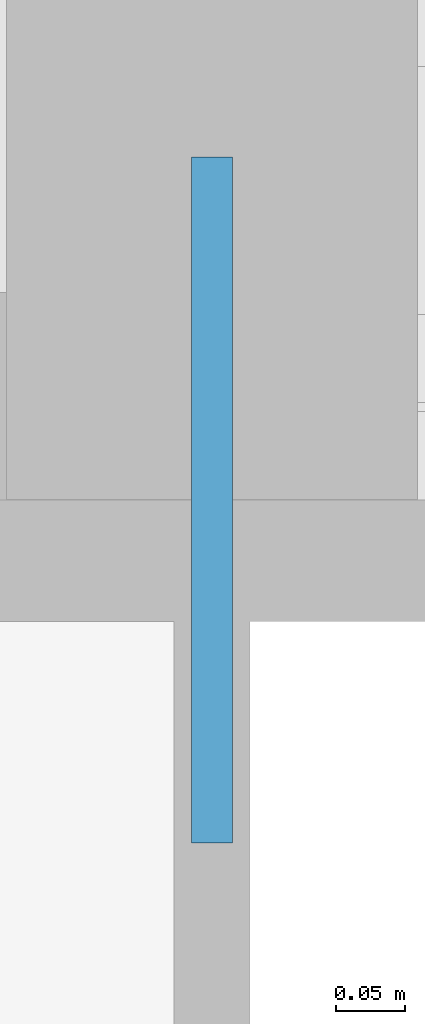
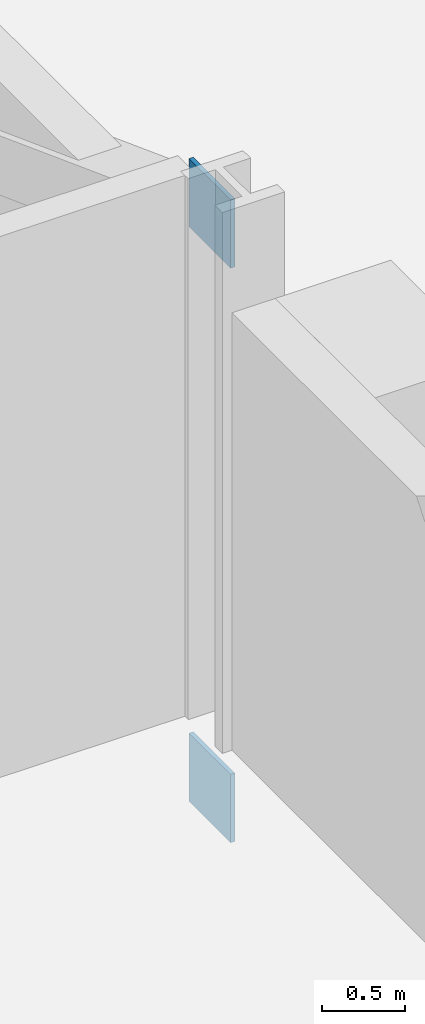
# One storey, part 25 of 39: 2 discrete accessories.
"""IFC4 building model written with IfcOpenShell, lengths in metres."""

from ifc_helpers import new_model, si_unit, direction, frame, origin, origin_2d, place, context, subcontext, project, spatial, rectangle, extrude, material, layer, layer_set, type_object, element, save


model = new_model("IFC4")

# Units and contexts
model_context = context("Model", 3, precision=1e-05, world=origin(), true_north=direction((0.0, 1.0)))
body_context = subcontext(model_context, "Body", "Model", "MODEL_VIEW")
ifc_project = project(units=[si_unit("LENGTHUNIT", "METRE"), si_unit("AREAUNIT", "SQUARE_METRE"), si_unit("VOLUMEUNIT", "CUBIC_METRE"), si_unit("PLANEANGLEUNIT", "RADIAN"), si_unit("MASSUNIT", "GRAM", prefix="KILO")], contexts=[model_context])

# Site, building, storey
site_placement = place(None, origin())
site = spatial("IfcSite", under=ifc_project, at=site_placement, CompositionType="ELEMENT")
building_placement = place(site_placement, origin())
building = spatial("IfcBuilding", under=site, at=building_placement, Name="Mahtab Terrace Research Tower", CompositionType="ELEMENT")
storey_placement = place(building_placement, frame((0.0, 0.0, 7.199951171875)))
storey = spatial("IfcBuildingStorey", under=building, at=storey_placement, Name="L01", CompositionType="ELEMENT", Elevation=7.199951171875)

# Discrete accessories
ifc_material = material(Name="Steel ASTM A992 Gr 50", Category="steel")
ifc_layer = layer(ifc_material, 0.030029296875)
ifc_layer_set = layer_set([ifc_layer], Name="Gusset plate 500x500x30")
discrete_accessory_type = type_object("IfcDiscreteAccessoryType", Name="Gusset plate 500x500x30", PredefinedType="USERDEFINED", material=ifc_layer_set)
for number, where, z_axis, x_axis, name in (
    (1, (48.0, -11.251220703125, -0.875244140625), (0.0, 0.0, 1.0), (0.0, 1.0, 0.0), "Gusset plate"),
    (2, (48.0, -11.251220703125, 3.33154296875), (0.0, 0.0, 1.0), (0.0, 1.0, 0.0), "Gusset plate"),
):
    element("IfcDiscreteAccessory", number, at=place(storey_placement, frame(where, z_axis=z_axis, x_axis=x_axis)), inside=storey, type_object=discrete_accessory_type, Name=name, ObjectType="GUSSET PLATE", PredefinedType="USERDEFINED", context=body_context, shape_type="SweptSolid", body=[
        extrude(rectangle(XDim=0.5, YDim=0.030029296875, at=origin_2d()), origin(), (0.0, 0.0, 1.0), 0.5),
    ])

save(model, "model.ifc")
